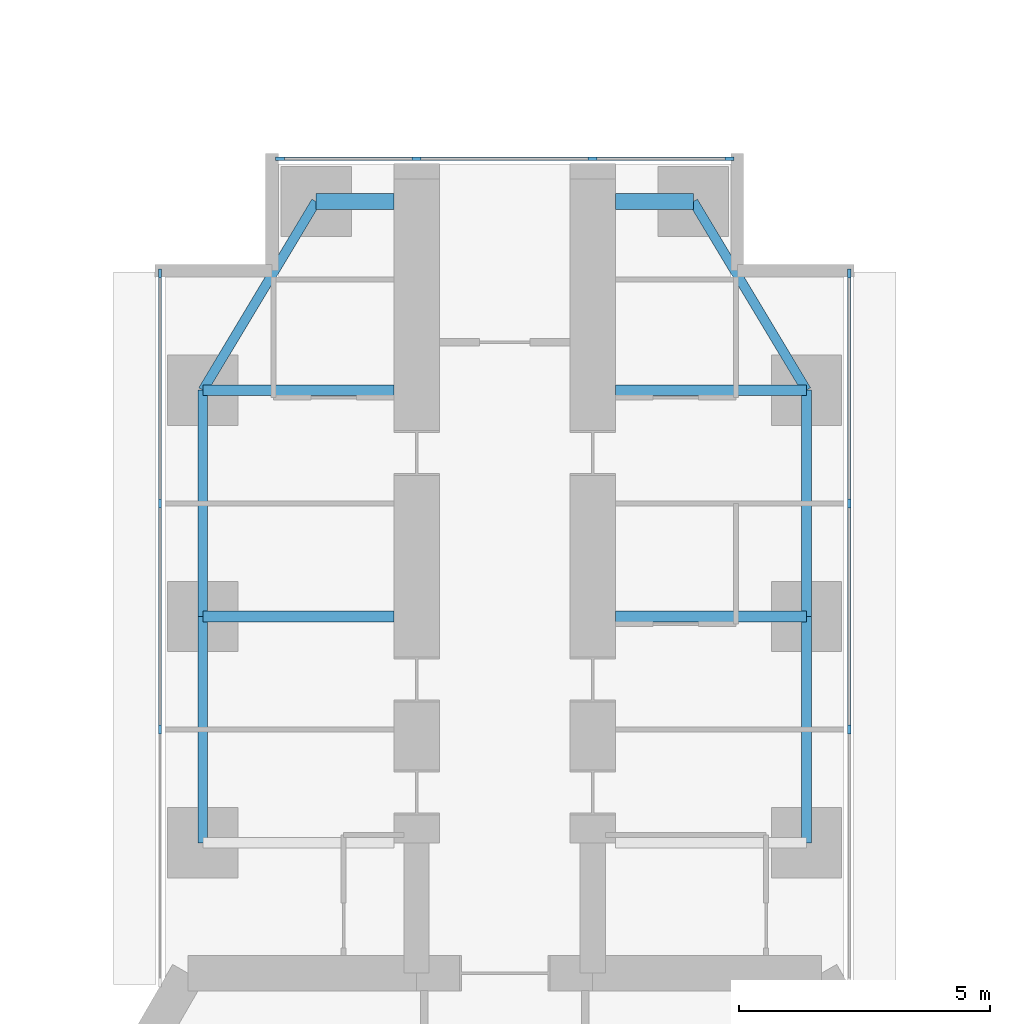
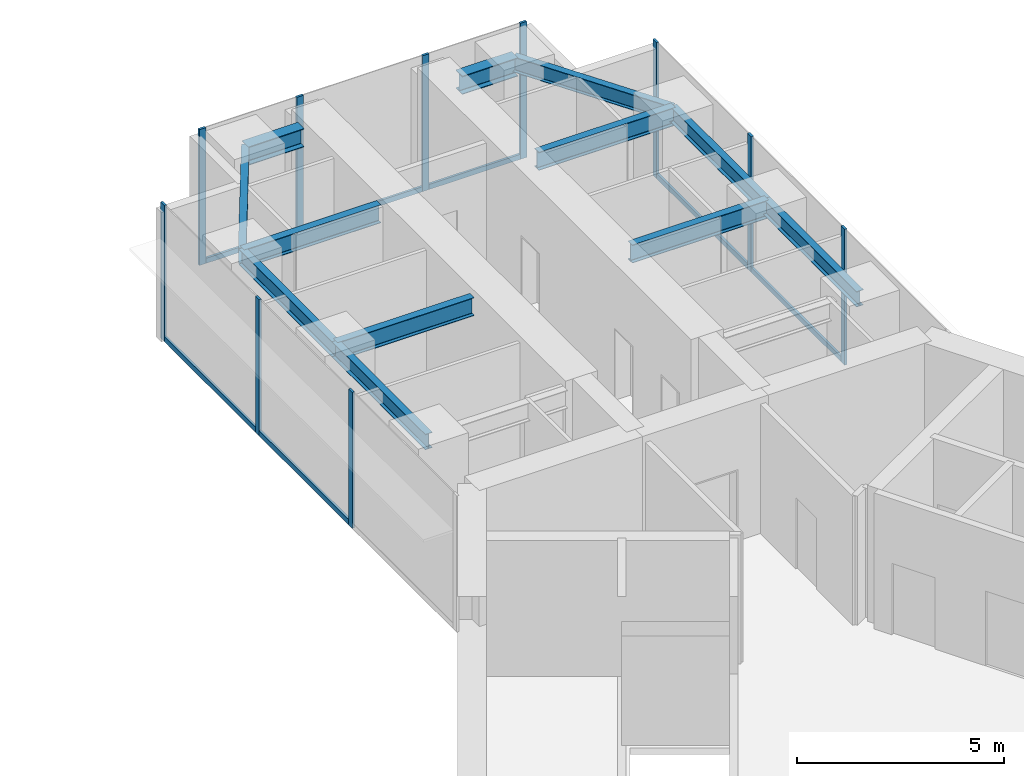
# One storey, part 13 of 25: 17 members, 12 beams, 3 elements without a shape of their own.
"""IFC4 building model written with IfcOpenShell, lengths in metres."""

from ifc_helpers import new_model, si_unit, direction, frame, origin, origin_2d, place, context, subcontext, project, spatial, rectangle, i_section, extrude, material, material_profile, profile_set, type_object, element, aggregate, save


model = new_model("IFC4")

# Units and contexts
model_context = context("Model", 3, precision=1e-05, world=origin(), true_north=direction((0.0, 1.0)))
body_context = subcontext(model_context, "Body", "Model", "MODEL_VIEW")
ifc_project = project(units=[si_unit("LENGTHUNIT", "METRE"), si_unit("AREAUNIT", "SQUARE_METRE"), si_unit("VOLUMEUNIT", "CUBIC_METRE"), si_unit("PLANEANGLEUNIT", "RADIAN"), si_unit("MASSUNIT", "GRAM", prefix="KILO")], contexts=[model_context])

# Site, building, storey
site_placement = place(None, origin())
site = spatial("IfcSite", under=ifc_project, at=site_placement, CompositionType="ELEMENT")
building_placement = place(site_placement, origin())
building = spatial("IfcBuilding", under=site, at=building_placement, Name="Upepo Twin Towers", CompositionType="ELEMENT")
storey_placement = place(building_placement, frame((0.0, 0.0, 72.5)))
storey = spatial("IfcBuildingStorey", under=building, at=storey_placement, Name="L17", CompositionType="ELEMENT", Elevation=72.5)

# Beams
ifc_material_1 = material(Name="Steel S355", Category="steel")
ifc_material_profile_1 = material_profile(ifc_material_1, i_section(OverallWidth=0.1904296875, OverallDepth=0.45703125, WebThickness=0.009033203125, FlangeThickness=0.014404296875, FilletRadius=0.01025390625, at=origin_2d()), Name="UB 457x191x74")
ifc_profile_set_1 = profile_set([ifc_material_profile_1], Name="Steel S355")
beam_type_1 = type_object("IfcBeamType", Name="Beam UB 457x191x74", PredefinedType="BEAM", material=ifc_profile_set_1)
for number, where, z_axis, x_axis, name in (
    (1, (52.5, -4.5, 3.571533203125), (0.0, 1.0, 0.0), (-1.0, 0.0, 0.0), "T2 edge beam AL 13.5-18.0"),
    (2, (52.5, 0.0, 3.571533203125), (0.0, 1.0, 0.0), (-1.0, 0.0, 0.0), "T2 edge beam AL 18.0-22.5"),
):
    element("IfcBeam", number, at=place(storey_placement, frame(where, z_axis=z_axis, x_axis=x_axis)), inside=storey, type_object=beam_type_1, Name=name, PredefinedType="BEAM", context=body_context, shape_type="SweptSolid", body=[
        extrude(i_section(OverallWidth=0.1904296875, OverallDepth=0.45703125, WebThickness=0.009033203125, FlangeThickness=0.014404296875, FilletRadius=0.01025390625, at=origin_2d()), origin(), (0.0, 0.0, 1.0), 4.5),
    ])
beam_1_placement = place(storey_placement, frame((52.5, 4.5, 3.571533203125), z_axis=(0.514495755428, 0.857492925713, 0.0), x_axis=(-0.857492925713, 0.514495755428, 0.0)))
element("IfcBeam", 3, at=beam_1_placement, inside=storey, type_object=beam_type_1, Name="T2 nose edge beam AL", PredefinedType="BEAM", context=body_context, shape_type="SweptSolid", body=[
    extrude(i_section(OverallWidth=0.1904296875, OverallDepth=0.45703125, WebThickness=0.009033203125, FlangeThickness=0.014404296875, FilletRadius=0.01025390625, at=origin_2d()), origin(), (0.0, 0.0, 1.0), 4.373291015625),
])
for number, where, z_axis, x_axis, name in (
    (4, (64.5, -4.5, 3.571533203125), (0.0, 1.0, 0.0), (-1.0, 0.0, 0.0), "T2 edge beam AR 13.5-18.0"),
    (5, (64.5, 0.0, 3.571533203125), (0.0, 1.0, 0.0), (-1.0, 0.0, 0.0), "T2 edge beam AR 18.0-22.5"),
):
    element("IfcBeam", number, at=place(storey_placement, frame(where, z_axis=z_axis, x_axis=x_axis)), inside=storey, type_object=beam_type_1, Name=name, PredefinedType="BEAM", context=body_context, shape_type="SweptSolid", body=[
        extrude(i_section(OverallWidth=0.1904296875, OverallDepth=0.45703125, WebThickness=0.009033203125, FlangeThickness=0.014404296875, FilletRadius=0.01025390625, at=origin_2d()), origin(), (0.0, 0.0, 1.0), 4.5),
    ])
beam_2_placement = place(storey_placement, frame((64.5, 4.5, 3.571533203125), z_axis=(-0.514495755428, 0.857492925713, 0.0), x_axis=(-0.857492925713, -0.514495755428, 0.0)))
element("IfcBeam", 6, at=beam_2_placement, inside=storey, type_object=beam_type_1, Name="T2 nose edge beam AR", PredefinedType="BEAM", context=body_context, shape_type="SweptSolid", body=[
    extrude(i_section(OverallWidth=0.1904296875, OverallDepth=0.45703125, WebThickness=0.009033203125, FlangeThickness=0.014404296875, FilletRadius=0.01025390625, at=origin_2d()), origin(), (0.0, 0.0, 1.0), 4.373291015625),
])
ifc_material_2 = material(Name="Steel S355", Category="steel")
ifc_material_profile_2 = material_profile(ifc_material_2, i_section(OverallWidth=0.209228515625, OverallDepth=0.533203125, WebThickness=0.010009765625, FlangeThickness=0.015625, FilletRadius=0.0126953125, at=origin_2d()), Name="UB 533x210x92")
ifc_profile_set_2 = profile_set([ifc_material_profile_2], Name="Steel S355")
beam_type_2 = type_object("IfcBeamType", Name="Beam UB 533x210x92", PredefinedType="BEAM", material=ifc_profile_set_2)
for number, where, z_axis, x_axis, name in (
    (7, (52.5, 0.0, 3.533447265625), (1.0, 0.0, 0.0), (0.0, 1.0, 0.0), "T2 girder AL at 18.0"),
    (8, (52.5, 4.5, 3.533447265625), (1.0, 0.0, 0.0), (0.0, 1.0, 0.0), "T2 girder AL at 22.5"),
    (9, (64.5, 0.0, 3.533447265625), (-1.0, 0.0, 0.0), (0.0, -1.0, 0.0), "T2 girder AR at 18.0"),
    (10, (64.5, 4.5, 3.533447265625), (-1.0, 0.0, 0.0), (0.0, -1.0, 0.0), "T2 girder AR at 22.5"),
):
    element("IfcBeam", number, at=place(storey_placement, frame(where, z_axis=z_axis, x_axis=x_axis)), inside=storey, type_object=beam_type_2, Name=name, PredefinedType="BEAM", context=body_context, shape_type="SweptSolid", body=[
        extrude(i_section(OverallWidth=0.209228515625, OverallDepth=0.533203125, WebThickness=0.010009765625, FlangeThickness=0.015625, FilletRadius=0.0126953125, at=origin_2d()), origin(), (0.0, 0.0, 1.0), 3.800048828125),
    ])
ifc_material_3 = material(Name="Steel S355", Category="steel")
ifc_material_profile_3 = material_profile(ifc_material_3, i_section(OverallWidth=0.31201171875, OverallDepth=0.54345703125, WebThickness=0.0126953125, FlangeThickness=0.020263671875, FilletRadius=0.0126953125, at=origin_2d()), Name="UB 533x312x150")
ifc_profile_set_3 = profile_set([ifc_material_profile_3], Name="Steel S355")
beam_type_3 = type_object("IfcBeamType", Name="Beam UB 533x312x150", PredefinedType="BEAM", material=ifc_profile_set_3)
for number, where, z_axis, x_axis, name in (
    (11, (54.75, 8.25, 3.5283203125), (1.0, 0.0, 0.0), (0.0, 1.0, 0.0), "T2 nose beam AL"),
    (12, (62.25, 8.25, 3.5283203125), (-1.0, 0.0, 0.0), (0.0, -1.0, 0.0), "T2 nose beam AR"),
):
    element("IfcBeam", number, at=place(storey_placement, frame(where, z_axis=z_axis, x_axis=x_axis)), inside=storey, type_object=beam_type_3, Name=name, PredefinedType="BEAM", context=body_context, shape_type="SweptSolid", body=[
        extrude(i_section(OverallWidth=0.31201171875, OverallDepth=0.54345703125, WebThickness=0.0126953125, FlangeThickness=0.020263671875, FilletRadius=0.0126953125, at=origin_2d()), origin(), (0.0, 0.0, 1.0), 1.550048828125),
    ])

# Curtain wall, members
ifc_material_4 = material(Name="Aluminium and fritted glass", Category="aluminium")
curtain_wall_type = type_object("IfcCurtainWallType", Name="Tower curtain wall TW1, fritted glass", PredefinedType="NOTDEFINED", material=ifc_material_4)
curtain_wall_1_placement = place(storey_placement, origin())
curtain_wall_1 = element("IfcCurtainWall", 13, at=curtain_wall_1_placement, inside=storey, type_object=curtain_wall_type, Name="T2 L17 wing A flank L curtain wall", PredefinedType="NOTDEFINED")
ifc_material_5 = material(Name="Aluminium mullion", Category="aluminium")
ifc_material_profile_4 = material_profile(ifc_material_5, rectangle(XDim=0.06494140625, YDim=0.179931640625, at=origin_2d()), Name="MULLION 65x180")
ifc_profile_set_4 = profile_set([ifc_material_profile_4], Name="Aluminium mullion")
member_type_1 = type_object("IfcMemberType", Name="Mullion 65x180 TW1", PredefinedType="MULLION", material=ifc_profile_set_4)
member_1_placement = place(storey_placement, frame((51.64990234375, -2.25, 0.0), z_axis=(0.0, 0.0, 1.0), x_axis=(-1.0, 0.0, 0.0)))
member_1 = element("IfcMember", 14, at=member_1_placement, type_object=member_type_1, Name="T2 L17 wing A flank L curtain wall mullion 2", PredefinedType="MULLION", context=body_context, shape_type="SweptSolid", body=[
    extrude(rectangle(XDim=0.06494140625, YDim=0.179931640625, at=origin_2d()), origin(), (0.0, 0.0, 1.0), 4.0),
])
member_2_placement = place(storey_placement, frame((51.64990234375, 2.25, 0.0), z_axis=(0.0, 0.0, 1.0), x_axis=(-1.0, 0.0, 0.0)))
member_2 = element("IfcMember", 15, at=member_2_placement, type_object=member_type_1, Name="T2 L17 wing A flank L curtain wall mullion 3", PredefinedType="MULLION", context=body_context, shape_type="SweptSolid", body=[
    extrude(rectangle(XDim=0.06494140625, YDim=0.179931640625, at=origin_2d()), origin(), (0.0, 0.0, 1.0), 4.0),
])
member_3_placement = place(storey_placement, frame((51.64990234375, 6.8173828125, 0.0), z_axis=(0.0, 0.0, 1.0), x_axis=(-1.0, 0.0, 0.0)))
member_3 = element("IfcMember", 16, at=member_3_placement, type_object=member_type_1, Name="T2 L17 wing A flank L curtain wall mullion 4", PredefinedType="MULLION", context=body_context, shape_type="SweptSolid", body=[
    extrude(rectangle(XDim=0.06494140625, YDim=0.179931640625, at=origin_2d()), origin(), (0.0, 0.0, 1.0), 4.0),
])

curtain_wall_2_placement = place(storey_placement, origin())
curtain_wall_2 = element("IfcCurtainWall", 17, at=curtain_wall_2_placement, inside=storey, type_object=curtain_wall_type, Name="T2 L17 wing A flank R curtain wall", PredefinedType="NOTDEFINED")
member_4_placement = place(storey_placement, frame((65.35009765625, 6.8173828125, 0.0), z_axis=(0.0, 0.0, 1.0), x_axis=(1.0, 0.0, 0.0)))
member_4 = element("IfcMember", 18, at=member_4_placement, type_object=member_type_1, Name="T2 L17 wing A flank R curtain wall mullion 1", PredefinedType="MULLION", context=body_context, shape_type="SweptSolid", body=[
    extrude(rectangle(XDim=0.06494140625, YDim=0.179931640625, at=origin_2d()), origin(), (0.0, 0.0, 1.0), 4.0),
])
member_5_placement = place(storey_placement, frame((65.35009765625, 2.25, 0.0), z_axis=(0.0, 0.0, 1.0), x_axis=(1.0, 0.0, 0.0)))
member_5 = element("IfcMember", 19, at=member_5_placement, type_object=member_type_1, Name="T2 L17 wing A flank R curtain wall mullion 2", PredefinedType="MULLION", context=body_context, shape_type="SweptSolid", body=[
    extrude(rectangle(XDim=0.06494140625, YDim=0.179931640625, at=origin_2d()), origin(), (0.0, 0.0, 1.0), 4.0),
])
member_6_placement = place(storey_placement, frame((65.35009765625, -2.25, 0.0), z_axis=(0.0, 0.0, 1.0), x_axis=(1.0, 0.0, 0.0)))
member_6 = element("IfcMember", 20, at=member_6_placement, type_object=member_type_1, Name="T2 L17 wing A flank R curtain wall mullion 3", PredefinedType="MULLION", context=body_context, shape_type="SweptSolid", body=[
    extrude(rectangle(XDim=0.06494140625, YDim=0.179931640625, at=origin_2d()), origin(), (0.0, 0.0, 1.0), 4.0),
])

curtain_wall_3_placement = place(storey_placement, origin())
curtain_wall_3 = element("IfcCurtainWall", 21, at=curtain_wall_3_placement, inside=storey, type_object=curtain_wall_type, Name="T2 L17 wing A nose curtain wall", PredefinedType="NOTDEFINED")
member_7_placement = place(storey_placement, frame((62.967529296875, 9.10009765625, 0.0), z_axis=(0.0, 0.0, 1.0), x_axis=(0.0, -1.0, 0.0)))
member_7 = element("IfcMember", 22, at=member_7_placement, type_object=member_type_1, Name="T2 L17 wing A nose curtain wall mullion 1", PredefinedType="MULLION", context=body_context, shape_type="SweptSolid", body=[
    extrude(rectangle(XDim=0.06494140625, YDim=0.179931640625, at=origin_2d()), origin(), (0.0, 0.0, 1.0), 4.0),
])
member_8_placement = place(storey_placement, frame((60.25, 9.10009765625, 0.0), z_axis=(0.0, 0.0, 1.0), x_axis=(0.0, -1.0, 0.0)))
member_8 = element("IfcMember", 23, at=member_8_placement, type_object=member_type_1, Name="T2 L17 wing A nose curtain wall mullion 2", PredefinedType="MULLION", context=body_context, shape_type="SweptSolid", body=[
    extrude(rectangle(XDim=0.06494140625, YDim=0.179931640625, at=origin_2d()), origin(), (0.0, 0.0, 1.0), 4.0),
])
member_9_placement = place(storey_placement, frame((56.75, 9.10009765625, 0.0), z_axis=(0.0, 0.0, 1.0), x_axis=(0.0, -1.0, 0.0)))
member_9 = element("IfcMember", 24, at=member_9_placement, type_object=member_type_1, Name="T2 L17 wing A nose curtain wall mullion 3", PredefinedType="MULLION", context=body_context, shape_type="SweptSolid", body=[
    extrude(rectangle(XDim=0.06494140625, YDim=0.179931640625, at=origin_2d()), origin(), (0.0, 0.0, 1.0), 4.0),
])
member_10_placement = place(storey_placement, frame((54.032470703125, 9.10009765625, 0.0), z_axis=(0.0, 0.0, 1.0), x_axis=(0.0, -1.0, 0.0)))
member_10 = element("IfcMember", 25, at=member_10_placement, type_object=member_type_1, Name="T2 L17 wing A nose curtain wall mullion 4", PredefinedType="MULLION", context=body_context, shape_type="SweptSolid", body=[
    extrude(rectangle(XDim=0.06494140625, YDim=0.179931640625, at=origin_2d()), origin(), (0.0, 0.0, 1.0), 4.0),
])

# Member
ifc_material_6 = material(Name="Aluminium transom", Category="aluminium")
ifc_material_profile_5 = material_profile(ifc_material_6, rectangle(XDim=0.06494140625, YDim=0.14990234375, at=origin_2d()), Name="TRANSOM 65x150")
ifc_profile_set_5 = profile_set([ifc_material_profile_5], Name="Aluminium transom")
member_type_2 = type_object("IfcMemberType", Name="Transom 65x150 TW1", PredefinedType="USERDEFINED", material=ifc_profile_set_5)
member_11_placement = place(storey_placement, frame((51.64990234375, -2.217529296875, 0.074951171875), z_axis=(0.0, 1.0, 0.0), x_axis=(-1.0, 0.0, 0.0)))
member_11 = element("IfcMember", 26, at=member_11_placement, type_object=member_type_2, Name="T2 L17 wing A flank L curtain wall transom 2", ObjectType="TRANSOM", PredefinedType="USERDEFINED", context=body_context, shape_type="SweptSolid", body=[
    extrude(rectangle(XDim=0.06494140625, YDim=0.14990234375, at=origin_2d()), origin(), (0.0, 0.0, 1.0), 4.43505859375),
])

member_12_placement = place(storey_placement, frame((51.64990234375, 2.282470703125, 0.074951171875), z_axis=(0.0, 1.0, 0.0), x_axis=(-1.0, 0.0, 0.0)))
member_12 = element("IfcMember", 27, at=member_12_placement, type_object=member_type_2, Name="T2 L17 wing A flank L curtain wall transom 3", ObjectType="TRANSOM", PredefinedType="USERDEFINED", context=body_context, shape_type="SweptSolid", body=[
    extrude(rectangle(XDim=0.06494140625, YDim=0.14990234375, at=origin_2d()), origin(), (0.0, 0.0, 1.0), 4.50244140625),
])

aggregate(curtain_wall_1, [member_1, member_2, member_3, member_11, member_12])

member_13_placement = place(storey_placement, frame((65.35009765625, 6.784912109375, 0.074951171875), z_axis=(0.0, -1.0, 0.0), x_axis=(1.0, 0.0, 0.0)))
member_13 = element("IfcMember", 28, at=member_13_placement, type_object=member_type_2, Name="T2 L17 wing A flank R curtain wall transom 1", ObjectType="TRANSOM", PredefinedType="USERDEFINED", context=body_context, shape_type="SweptSolid", body=[
    extrude(rectangle(XDim=0.06494140625, YDim=0.14990234375, at=origin_2d()), origin(), (0.0, 0.0, 1.0), 4.50244140625),
])

member_14_placement = place(storey_placement, frame((65.35009765625, 2.217529296875, 0.074951171875), z_axis=(0.0, -1.0, 0.0), x_axis=(1.0, 0.0, 0.0)))
member_14 = element("IfcMember", 29, at=member_14_placement, type_object=member_type_2, Name="T2 L17 wing A flank R curtain wall transom 2", ObjectType="TRANSOM", PredefinedType="USERDEFINED", context=body_context, shape_type="SweptSolid", body=[
    extrude(rectangle(XDim=0.06494140625, YDim=0.14990234375, at=origin_2d()), origin(), (0.0, 0.0, 1.0), 4.43505859375),
])

aggregate(curtain_wall_2, [member_4, member_5, member_6, member_13, member_14])

member_15_placement = place(storey_placement, frame((62.93505859375, 9.10009765625, 0.074951171875), z_axis=(-1.0, 0.0, 0.0), x_axis=(0.0, -1.0, 0.0)))
member_15 = element("IfcMember", 30, at=member_15_placement, type_object=member_type_2, Name="T2 L17 wing A nose curtain wall transom 1", ObjectType="TRANSOM", PredefinedType="USERDEFINED", context=body_context, shape_type="SweptSolid", body=[
    extrude(rectangle(XDim=0.06494140625, YDim=0.14990234375, at=origin_2d()), origin(), (0.0, 0.0, 1.0), 2.652587890625),
])

member_16_placement = place(storey_placement, frame((60.217529296875, 9.10009765625, 0.074951171875), z_axis=(-1.0, 0.0, 0.0), x_axis=(0.0, -1.0, 0.0)))
member_16 = element("IfcMember", 31, at=member_16_placement, type_object=member_type_2, Name="T2 L17 wing A nose curtain wall transom 2", ObjectType="TRANSOM", PredefinedType="USERDEFINED", context=body_context, shape_type="SweptSolid", body=[
    extrude(rectangle(XDim=0.06494140625, YDim=0.14990234375, at=origin_2d()), origin(), (0.0, 0.0, 1.0), 3.43505859375),
])

member_17_placement = place(storey_placement, frame((56.717529296875, 9.10009765625, 0.074951171875), z_axis=(-1.0, 0.0, 0.0), x_axis=(0.0, -1.0, 0.0)))
member_17 = element("IfcMember", 32, at=member_17_placement, type_object=member_type_2, Name="T2 L17 wing A nose curtain wall transom 3", ObjectType="TRANSOM", PredefinedType="USERDEFINED", context=body_context, shape_type="SweptSolid", body=[
    extrude(rectangle(XDim=0.06494140625, YDim=0.14990234375, at=origin_2d()), origin(), (0.0, 0.0, 1.0), 2.652587890625),
])

aggregate(curtain_wall_3, [member_7, member_8, member_9, member_10, member_15, member_16, member_17])

save(model, "model.ifc")
